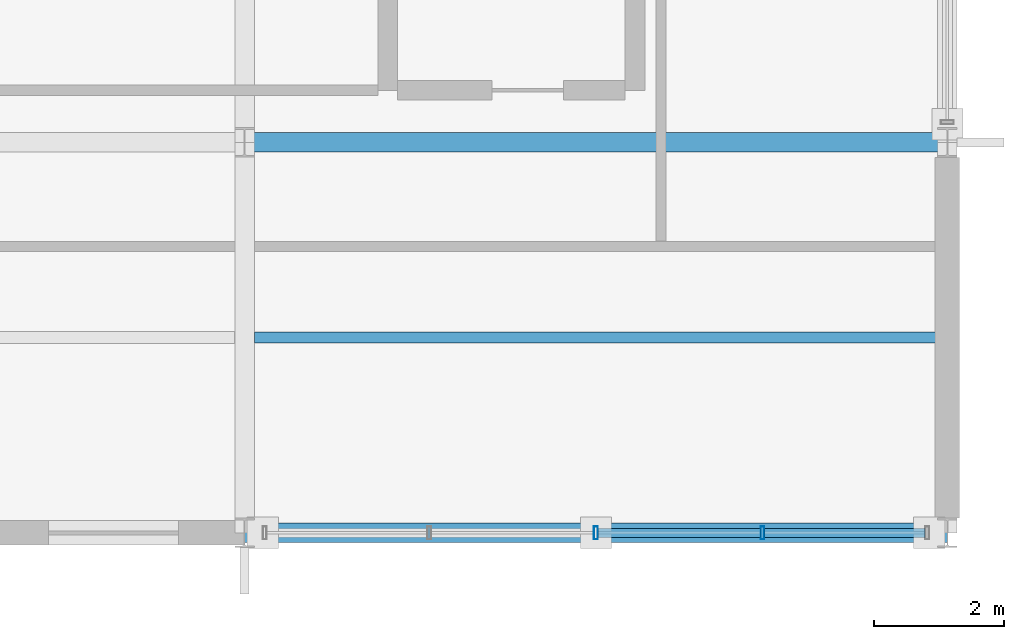
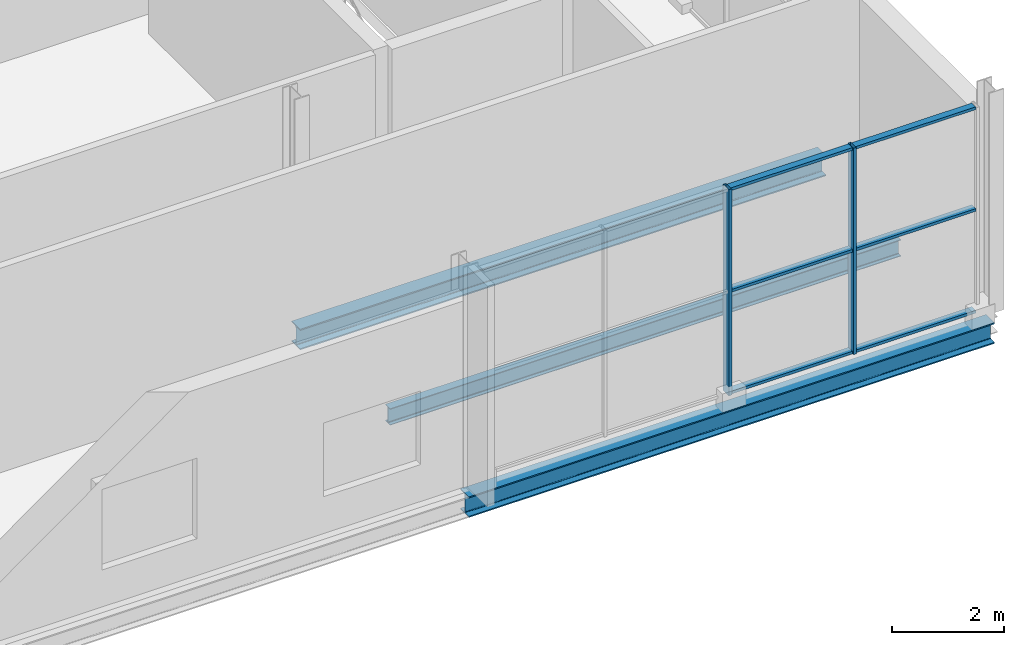
# One storey, part 106 of 159: 8 members, 3 beams, 1 element without a shape of its own.
"""IFC4 building model written with IfcOpenShell, lengths in metres."""

from ifc_helpers import new_model, si_unit, direction, frame, origin, origin_2d, place, context, subcontext, project, spatial, hollow_rectangle, i_section, extrude, material, material_profile, profile_set, type_object, element, aggregate, save


model = new_model("IFC4")

# Units and contexts
model_context = context("Model", 3, precision=1e-05, world=origin(), true_north=direction((0.0, 1.0)))
body_context = subcontext(model_context, "Body", "Model", "MODEL_VIEW")
ifc_project = project(units=[si_unit("LENGTHUNIT", "METRE"), si_unit("AREAUNIT", "SQUARE_METRE"), si_unit("VOLUMEUNIT", "CUBIC_METRE"), si_unit("PLANEANGLEUNIT", "RADIAN"), si_unit("MASSUNIT", "GRAM", prefix="KILO")], contexts=[model_context])

# Site, building, storey
site_placement = place(None, origin())
site = spatial("IfcSite", under=ifc_project, at=site_placement, CompositionType="ELEMENT")
building_placement = place(site_placement, origin())
building = spatial("IfcBuilding", under=site, at=building_placement, Name="Merenkruunu Market Hall", CompositionType="ELEMENT")
storey_placement = place(building_placement, frame((0.0, 0.0, 5.39990234375)))
storey = spatial("IfcBuildingStorey", under=building, at=storey_placement, Name="L01", CompositionType="ELEMENT", Elevation=5.39990234375)

# Curtain wall, members
ifc_material_1 = material(Name="Powder-coated aluminium", Category="aluminium")
curtain_wall_type = type_object("IfcCurtainWallType", Name="Glazed Curtain Wall CW07", PredefinedType="USERDEFINED", material=ifc_material_1)
curtain_wall_placement = place(storey_placement, origin())
curtain_wall = element("IfcCurtainWall", 1, at=curtain_wall_placement, inside=storey, type_object=curtain_wall_type, Name="CW-L01-CWM03-208", ObjectType="GLAZED_FACADE", PredefinedType="USERDEFINED")
ifc_material_profile_1 = material_profile(ifc_material_1, hollow_rectangle(XDim=0.06005859375, YDim=0.199951171875, WallThickness=0.0048828125, at=origin_2d()), Name="ALU 60x200x5")
ifc_profile_set_1 = profile_set([ifc_material_profile_1], Name="Powder-coated aluminium")
member_type_1 = type_object("IfcMemberType", Name="Curtain Wall Mullion CWM03", PredefinedType="MULLION", material=ifc_profile_set_1)
member_1_placement = place(storey_placement, frame((189.159912109375, 0.0, 0.0), z_axis=(0.0, 0.0, 1.0), x_axis=(-1.0, 0.0, 0.0)))
member_1 = element("IfcMember", 2, at=member_1_placement, type_object=member_type_1, Name="CW07 mullion 2", PredefinedType="MULLION", context=body_context, shape_type="SweptSolid", body=[
    extrude(hollow_rectangle(XDim=0.06005859375, YDim=0.199951171875, WallThickness=0.0048828125, at=origin_2d()), origin(), (0.0, 0.0, 1.0), 4.47998046875),
])
member_2_placement = place(storey_placement, frame((186.60009765625, 0.0, 0.0), z_axis=(0.0, 0.0, 1.0), x_axis=(-1.0, 0.0, 0.0)))
member_2 = element("IfcMember", 3, at=member_2_placement, type_object=member_type_1, Name="CW07 mullion 3", PredefinedType="MULLION", context=body_context, shape_type="SweptSolid", body=[
    extrude(hollow_rectangle(XDim=0.06005859375, YDim=0.199951171875, WallThickness=0.0048828125, at=origin_2d()), origin(), (0.0, 0.0, 1.0), 4.47998046875),
])
ifc_material_profile_2 = material_profile(ifc_material_1, hollow_rectangle(XDim=0.06005859375, YDim=0.139892578125, WallThickness=0.00390625, at=origin_2d()), Name="ALU 60x140x4")
ifc_profile_set_2 = profile_set([ifc_material_profile_2], Name="Powder-coated aluminium")
member_type_2 = type_object("IfcMemberType", Name="Curtain Wall Transom CWT02", PredefinedType="USERDEFINED", material=ifc_profile_set_2)
member_3_placement = place(storey_placement, frame((191.659912109375, 0.0, 0.030029296875), z_axis=(-1.0, 0.0, 0.0), x_axis=(0.0, 0.0, 1.0)))
member_3 = element("IfcMember", 4, at=member_3_placement, type_object=member_type_2, Name="CW07 transom 1.1", ObjectType="TRANSOM", PredefinedType="USERDEFINED", context=body_context, shape_type="SweptSolid", body=[
    extrude(hollow_rectangle(XDim=0.06005859375, YDim=0.139892578125, WallThickness=0.00390625, at=origin_2d()), origin(), (0.0, 0.0, 1.0), 2.469970703125),
])
member_4_placement = place(storey_placement, frame((191.659912109375, 0.0, 2.239990234375), z_axis=(-1.0, 0.0, 0.0), x_axis=(0.0, 0.0, 1.0)))
member_4 = element("IfcMember", 5, at=member_4_placement, type_object=member_type_2, Name="CW07 transom 1.2", ObjectType="TRANSOM", PredefinedType="USERDEFINED", context=body_context, shape_type="SweptSolid", body=[
    extrude(hollow_rectangle(XDim=0.06005859375, YDim=0.139892578125, WallThickness=0.00390625, at=origin_2d()), origin(), (0.0, 0.0, 1.0), 2.469970703125),
])
member_5_placement = place(storey_placement, frame((191.659912109375, 0.0, 4.4501953125), z_axis=(-1.0, 0.0, 0.0), x_axis=(0.0, 0.0, 1.0)))
member_5 = element("IfcMember", 6, at=member_5_placement, type_object=member_type_2, Name="CW07 transom 1.3", ObjectType="TRANSOM", PredefinedType="USERDEFINED", context=body_context, shape_type="SweptSolid", body=[
    extrude(hollow_rectangle(XDim=0.06005859375, YDim=0.139892578125, WallThickness=0.00390625, at=origin_2d()), origin(), (0.0, 0.0, 1.0), 2.469970703125),
])
member_6_placement = place(storey_placement, frame((189.1298828125, 0.0, 0.030029296875), z_axis=(-1.0, 0.0, 0.0), x_axis=(0.0, 0.0, 1.0)))
member_6 = element("IfcMember", 7, at=member_6_placement, type_object=member_type_2, Name="CW07 transom 2.1", ObjectType="TRANSOM", PredefinedType="USERDEFINED", context=body_context, shape_type="SweptSolid", body=[
    extrude(hollow_rectangle(XDim=0.06005859375, YDim=0.139892578125, WallThickness=0.00390625, at=origin_2d()), origin(), (0.0, 0.0, 1.0), 2.5),
])
member_7_placement = place(storey_placement, frame((189.1298828125, 0.0, 2.239990234375), z_axis=(-1.0, 0.0, 0.0), x_axis=(0.0, 0.0, 1.0)))
member_7 = element("IfcMember", 8, at=member_7_placement, type_object=member_type_2, Name="CW07 transom 2.2", ObjectType="TRANSOM", PredefinedType="USERDEFINED", context=body_context, shape_type="SweptSolid", body=[
    extrude(hollow_rectangle(XDim=0.06005859375, YDim=0.139892578125, WallThickness=0.00390625, at=origin_2d()), origin(), (0.0, 0.0, 1.0), 2.5),
])
member_8_placement = place(storey_placement, frame((189.1298828125, 0.0, 4.4501953125), z_axis=(-1.0, 0.0, 0.0), x_axis=(0.0, 0.0, 1.0)))
member_8 = element("IfcMember", 9, at=member_8_placement, type_object=member_type_2, Name="CW07 transom 2.3", ObjectType="TRANSOM", PredefinedType="USERDEFINED", context=body_context, shape_type="SweptSolid", body=[
    extrude(hollow_rectangle(XDim=0.06005859375, YDim=0.139892578125, WallThickness=0.00390625, at=origin_2d()), origin(), (0.0, 0.0, 1.0), 2.5),
])
aggregate(curtain_wall, [member_1, member_2, member_3, member_4, member_5, member_6, member_7, member_8])

# Beams
ifc_material_2 = material(Name="Steel S355J2", Category="steel")
ifc_material_profile_3 = material_profile(ifc_material_2, i_section(OverallWidth=0.300048828125, OverallDepth=0.449951171875, WebThickness=0.013916015625, FlangeThickness=0.02587890625, FilletRadius=0.027099609375, at=origin_2d()), Name="HEB 450")
ifc_profile_set_3 = profile_set([ifc_material_profile_3], Name="Steel S355J2")
beam_type_1 = type_object("IfcBeamType", Name="Primary Floor Girder B03", PredefinedType="BEAM", material=ifc_profile_set_3)
for number, where, z_axis, x_axis, name in (
    (10, (181.199951171875, 0.0, -0.5048828125), (1.0, 0.0, 0.0), (0.0, 1.0, 0.0), "BM-L01-B03-0469"),
    (11, (181.199951171875, 6.0, -0.5048828125), (1.0, 0.0, 0.0), (0.0, 1.0, 0.0), "BM-L01-B03-0473"),
):
    element("IfcBeam", number, at=place(storey_placement, frame(where, z_axis=z_axis, x_axis=x_axis)), inside=storey, type_object=beam_type_1, Name=name, PredefinedType="BEAM", context=body_context, shape_type="SweptSolid", body=[
        extrude(i_section(OverallWidth=0.300048828125, OverallDepth=0.449951171875, WebThickness=0.013916015625, FlangeThickness=0.02587890625, FilletRadius=0.027099609375, at=origin_2d()), origin(), (0.0, 0.0, 1.0), 10.800048828125),
    ])
ifc_material_profile_4 = material_profile(ifc_material_2, i_section(OverallWidth=0.169921875, OverallDepth=0.360107421875, WebThickness=0.008056640625, FlangeThickness=0.0126953125, FilletRadius=0.01806640625, at=origin_2d()), Name="IPE 360")
ifc_profile_set_4 = profile_set([ifc_material_profile_4], Name="Steel S355J2")
beam_type_2 = type_object("IfcBeamType", Name="Secondary Floor Joist J03", PredefinedType="JOIST", material=ifc_profile_set_4)
beam_placement = place(storey_placement, frame((181.35302734375, 3.0, -0.4599609375), z_axis=(1.0, 0.0, 0.0), x_axis=(0.0, 1.0, 0.0)))
element("IfcBeam", 12, at=beam_placement, inside=storey, type_object=beam_type_2, Name="BM-L01-J03-0729", PredefinedType="JOIST", context=body_context, shape_type="SweptSolid", body=[
    extrude(i_section(OverallWidth=0.169921875, OverallDepth=0.360107421875, WebThickness=0.008056640625, FlangeThickness=0.0126953125, FilletRadius=0.01806640625, at=origin_2d()), origin(), (0.0, 0.0, 1.0), 10.493896484375),
])

save(model, "model.ifc")
